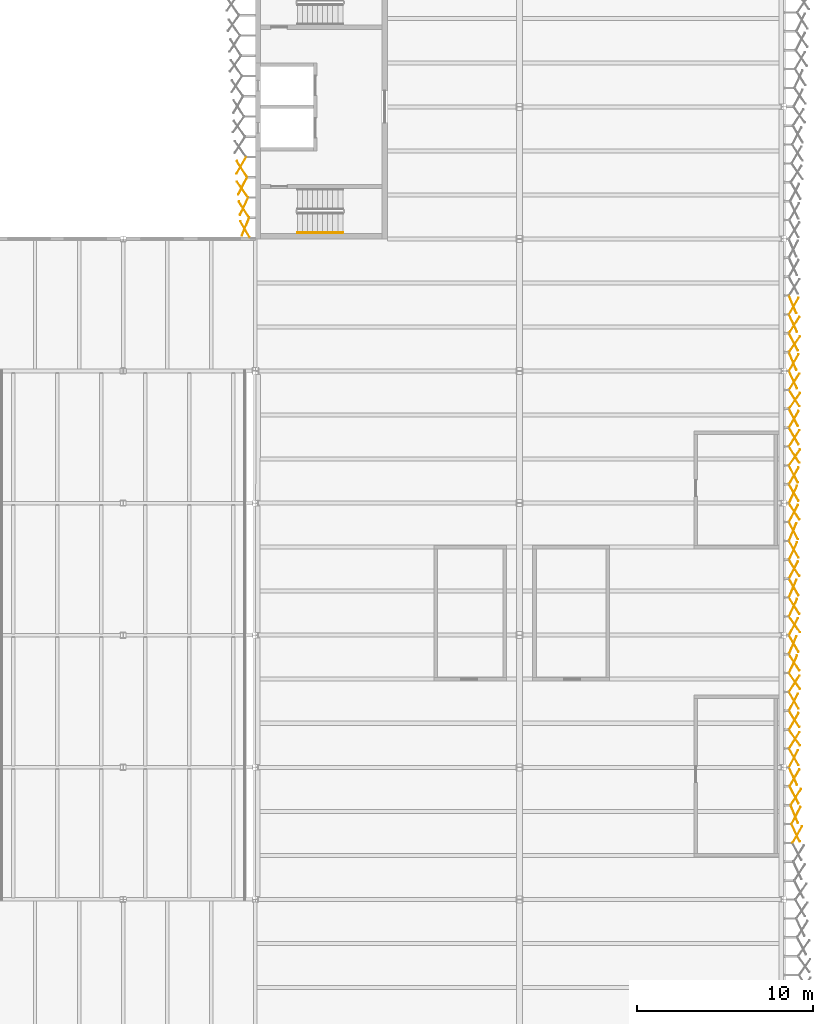
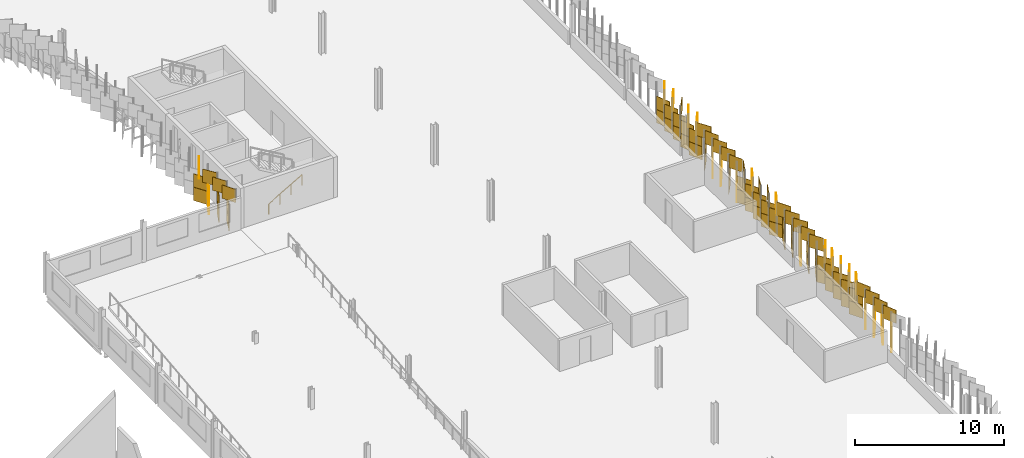
# One storey, part 189 of 198: 99 coverings, 1 railing.
"""IFC4 building model written with IfcOpenShell, lengths in metres."""

from ifc_helpers import new_model, si_unit, direction, frame, origin, origin_2d, place, context, subcontext, project, spatial, rectangle, circle, extrude, material, layer, layer_set, type_object, element, save


model = new_model("IFC4")

# Units and contexts
model_context = context("Model", 3, precision=1e-05, world=origin(), true_north=direction((0.0, 1.0)))
body_context = subcontext(model_context, "Body", "Model", "MODEL_VIEW")
ifc_project = project(units=[si_unit("LENGTHUNIT", "METRE"), si_unit("AREAUNIT", "SQUARE_METRE"), si_unit("VOLUMEUNIT", "CUBIC_METRE"), si_unit("PLANEANGLEUNIT", "RADIAN"), si_unit("MASSUNIT", "GRAM", prefix="KILO")], contexts=[model_context])

# Site, building, storey
site_placement = place(None, origin())
site = spatial("IfcSite", under=ifc_project, at=site_placement, CompositionType="ELEMENT")
building_placement = place(site_placement, origin())
building = spatial("IfcBuilding", under=site, at=building_placement, Name="Parallax Yard Mobility Hub", CompositionType="ELEMENT")
storey_placement = place(building_placement, frame((0.0, 0.0, 6.60009765625)))
storey = spatial("IfcBuildingStorey", under=building, at=storey_placement, Name="L02", CompositionType="ELEMENT", Elevation=6.60009765625)

# Coverings
ifc_material_1 = material(Name="Aluminium panel, champagne finish", Category="aluminium")
ifc_layer_1 = layer(ifc_material_1, 0.030029296875)
ifc_layer_set_1 = layer_set([ifc_layer_1], Name="Skin panel 22.5 degree turn, champagne finish")
covering_type_1 = type_object("IfcCoveringType", Name="Skin panel 22.5 degree turn, champagne finish", PredefinedType="CLADDING", material=ifc_layer_set_1)
for number, where, z_axis, x_axis, name in (
    (1, (225.607421875, 42.332275390625, 2.219970703125), (0.0, 0.0, 1.0), (0.382683432365, -0.923879532511, 0.0), "Skin panel 22.5 bay 34.5 row 3 level L02"),
    (2, (225.512939453125, 51.93408203125, 1.119873046875), (0.0, 0.0, 1.0), (0.382683432365, 0.923879532511, 0.0), "Skin panel 22.5 bay 35.7 row 2 level L02"),
    (3, (225.512939453125, 55.1494140625, 1.119873046875), (0.0, 0.0, 1.0), (0.382683432365, 0.923879532511, 0.0), "Skin panel 22.5 bay 36.3 row 2 level L02"),
    (4, (225.512939453125, 58.364501953125, 2.219970703125), (0.0, 0.0, 1.0), (0.382683432365, 0.923879532511, 0.0), "Skin panel 22.5 bay 36.6 row 3 level L02"),
    (5, (225.512939453125, 68.0537109375, 1.119873046875), (0.0, 0.0, 1.0), (0.382683432365, -0.923879532511, 0.0), "Skin panel 22.5 bay 38.1 row 2 level L02"),
    (6, (225.512939453125, 71.26904296875, 1.119873046875), (0.0, 0.0, 1.0), (0.382683432365, -0.923879532511, 0.0), "Skin panel 22.5 bay 38.4 row 2 level L02"),
    (7, (194.439453125, 75.683349609375, 1.119873046875), (0.0, 0.0, 1.0), (-0.382683432365, -0.923879532511, 0.0), "Skin panel 22.5 bay 23.13 row 2 level L02"),
):
    element("IfcCovering", number, at=place(storey_placement, frame(where, z_axis=z_axis, x_axis=x_axis)), inside=storey, type_object=covering_type_1, Name=name, ObjectType="SCREEN", PredefinedType="CLADDING", context=body_context, shape_type="SweptSolid", body=[
        extrude(rectangle(XDim=1.080078125, YDim=0.030029296875, at=origin_2d()), origin(), (0.0, 0.0, 1.0), 1.080078125),
    ])
ifc_material_2 = material(Name="Aluminium panel, light oak finish", Category="aluminium")
ifc_layer_2 = layer(ifc_material_2, 0.030029296875)
ifc_layer_set_2 = layer_set([ifc_layer_2], Name="Skin panel 22.5 degree turn, oak finish")
covering_type_2 = type_object("IfcCoveringType", Name="Skin panel 22.5 degree turn, oak finish", PredefinedType="CLADDING", material=ifc_layer_set_2)
for number, where, z_axis, x_axis, name in (
    (8, (225.512939453125, 51.93408203125, 0.019775390625), (0.0, 0.0, 1.0), (0.382683432365, 0.923879532511, 0.0), "Skin panel 22.5 bay 35.7 row 1 level L02"),
    (9, (225.512939453125, 55.1494140625, 0.019775390625), (0.0, 0.0, 1.0), (0.382683432365, 0.923879532511, 0.0), "Skin panel 22.5 bay 36.3 row 1 level L02"),
    (10, (225.512939453125, 68.0537109375, 0.019775390625), (0.0, 0.0, 1.0), (0.382683432365, -0.923879532511, 0.0), "Skin panel 22.5 bay 38.1 row 1 level L02"),
    (11, (225.512939453125, 71.26904296875, 0.019775390625), (0.0, 0.0, 1.0), (0.382683432365, -0.923879532511, 0.0), "Skin panel 22.5 bay 38.4 row 1 level L02"),
    (12, (194.439453125, 75.683349609375, 0.019775390625), (0.0, 0.0, 1.0), (-0.382683432365, -0.923879532511, 0.0), "Skin panel 22.5 bay 23.13 row 1 level L02"),
):
    element("IfcCovering", number, at=place(storey_placement, frame(where, z_axis=z_axis, x_axis=x_axis)), inside=storey, type_object=covering_type_2, Name=name, ObjectType="SCREEN", PredefinedType="CLADDING", context=body_context, shape_type="SweptSolid", body=[
        extrude(rectangle(XDim=1.080078125, YDim=0.030029296875, at=origin_2d()), origin(), (0.0, 0.0, 1.0), 1.080078125),
    ])
ifc_layer_3 = layer(ifc_material_1, 0.030029296875)
ifc_layer_set_3 = layer_set([ifc_layer_3], Name="Skin panel 25 degree turn, champagne finish")
covering_type_3 = type_object("IfcCoveringType", Name="Skin panel 25 degree turn, champagne finish", PredefinedType="CLADDING", material=ifc_layer_set_3)
for number, where, z_axis, x_axis, name in (
    (13, (225.683349609375, 41.270263671875, 2.219970703125), (0.0, 0.0, 1.0), (0.422618261741, -0.906307787037, 0.0), "Skin panel 25 bay 34.4 row 3 level L02"),
    (14, (225.53515625, 44.485595703125, 2.219970703125), (0.0, 0.0, 1.0), (0.422618261741, -0.906307787037, 0.0), "Skin panel 25 bay 34.7 row 3 level L02"),
    (15, (225.53515625, 50.8525390625, 1.119873046875), (0.0, 0.0, 1.0), (0.422618261741, 0.906307787037, 0.0), "Skin panel 25 bay 35.6 row 2 level L02"),
    (16, (225.53515625, 54.06787109375, 1.119873046875), (0.0, 0.0, 1.0), (0.422618261741, 0.906307787037, 0.0), "Skin panel 25 bay 36.2 row 2 level L02"),
    (17, (225.53515625, 57.282958984375, 2.219970703125), (0.0, 0.0, 1.0), (0.422618261741, 0.906307787037, 0.0), "Skin panel 25 bay 36.5 row 3 level L02"),
    (18, (225.53515625, 60.498291015625, 2.219970703125), (0.0, 0.0, 1.0), (0.422618261741, 0.906307787037, 0.0), "Skin panel 25 bay 37.1 row 3 level L02"),
    (19, (225.53515625, 66.991943359375, 1.119873046875), (0.0, 0.0, 1.0), (0.422618261741, -0.906307787037, 0.0), "Skin panel 25 bay 37.7 row 2 level L02"),
    (20, (225.53515625, 70.20703125, 1.119873046875), (0.0, 0.0, 1.0), (0.422618261741, -0.906307787037, 0.0), "Skin panel 25 bay 38.3 row 2 level L02"),
    (21, (194.359619140625, 76.843505859375, 1.119873046875), (0.0, 0.0, 1.0), (-0.422618261741, -0.906307787037, 0.0), "Skin panel 25 bay 23.12 row 2 level L02"),
):
    element("IfcCovering", number, at=place(storey_placement, frame(where, z_axis=z_axis, x_axis=x_axis)), inside=storey, type_object=covering_type_3, Name=name, ObjectType="SCREEN", PredefinedType="CLADDING", context=body_context, shape_type="SweptSolid", body=[
        extrude(rectangle(XDim=1.080078125, YDim=0.030029296875, at=origin_2d()), origin(), (0.0, 0.0, 1.0), 1.080078125),
    ])
ifc_layer_4 = layer(ifc_material_2, 0.030029296875)
ifc_layer_set_4 = layer_set([ifc_layer_4], Name="Skin panel 25 degree turn, oak finish")
covering_type_4 = type_object("IfcCoveringType", Name="Skin panel 25 degree turn, oak finish", PredefinedType="CLADDING", material=ifc_layer_set_4)
for number, where, z_axis, x_axis, name in (
    (22, (225.53515625, 50.8525390625, 0.019775390625), (0.0, 0.0, 1.0), (0.422618261741, 0.906307787037, 0.0), "Skin panel 25 bay 35.6 row 1 level L02"),
    (23, (225.53515625, 54.06787109375, 0.019775390625), (0.0, 0.0, 1.0), (0.422618261741, 0.906307787037, 0.0), "Skin panel 25 bay 36.2 row 1 level L02"),
    (24, (225.53515625, 66.991943359375, 0.019775390625), (0.0, 0.0, 1.0), (0.422618261741, -0.906307787037, 0.0), "Skin panel 25 bay 37.7 row 1 level L02"),
    (25, (225.53515625, 70.20703125, 0.019775390625), (0.0, 0.0, 1.0), (0.422618261741, -0.906307787037, 0.0), "Skin panel 25 bay 38.3 row 1 level L02"),
    (26, (194.359619140625, 76.843505859375, 0.019775390625), (0.0, 0.0, 1.0), (-0.422618261741, -0.906307787037, 0.0), "Skin panel 25 bay 23.12 row 1 level L02"),
):
    element("IfcCovering", number, at=place(storey_placement, frame(where, z_axis=z_axis, x_axis=x_axis)), inside=storey, type_object=covering_type_4, Name=name, ObjectType="SCREEN", PredefinedType="CLADDING", context=body_context, shape_type="SweptSolid", body=[
        extrude(rectangle(XDim=1.080078125, YDim=0.030029296875, at=origin_2d()), origin(), (0.0, 0.0, 1.0), 1.080078125),
    ])
ifc_layer_5 = layer(ifc_material_1, 0.030029296875)
ifc_layer_set_5 = layer_set([ifc_layer_5], Name="Skin panel 27.5 degree turn, champagne finish")
covering_type_5 = type_object("IfcCoveringType", Name="Skin panel 27.5 degree turn, champagne finish", PredefinedType="CLADDING", material=ifc_layer_set_5)
for number, where, z_axis, x_axis, name in (
    (27, (225.705078125, 42.26806640625, 1.119873046875), (0.0, 0.0, 1.0), (0.461748613235, 0.887010833178, 0.0), "Skin panel 27.5 bay 34.5 row 2 level L02"),
    (28, (225.597900390625, 43.424560546875, 2.219970703125), (0.0, 0.0, 1.0), (0.461748613235, -0.887010833178, 0.0), "Skin panel 27.5 bay 34.6 row 3 level L02"),
    (29, (225.556884765625, 45.483154296875, 2.219970703125), (0.0, 0.0, 1.0), (0.461748613235, 0.887010833178, 0.0), "Skin panel 27.5 bay 35.1 row 3 level L02"),
    (30, (225.556884765625, 48.698486328125, 2.219970703125), (0.0, 0.0, 1.0), (0.461748613235, 0.887010833178, 0.0), "Skin panel 27.5 bay 35.4 row 3 level L02"),
    (31, (225.556884765625, 52.9853515625, 1.119873046875), (0.0, 0.0, 1.0), (0.461748613235, 0.887010833178, 0.0), "Skin panel 27.5 bay 36.1 row 2 level L02"),
    (32, (225.556884765625, 56.200439453125, 2.219970703125), (0.0, 0.0, 1.0), (0.461748613235, 0.887010833178, 0.0), "Skin panel 27.5 bay 36.4 row 3 level L02"),
    (33, (225.556884765625, 58.4287109375, 1.119873046875), (0.0, 0.0, 1.0), (0.461748613235, -0.887010833178, 0.0), "Skin panel 27.5 bay 36.6 row 2 level L02"),
    (34, (225.556884765625, 59.415771484375, 2.219970703125), (0.0, 0.0, 1.0), (0.461748613235, 0.887010833178, 0.0), "Skin panel 27.5 bay 36.7 row 3 level L02"),
    (35, (225.556884765625, 61.64404296875, 2.219970703125), (0.0, 0.0, 1.0), (0.461748613235, -0.887010833178, 0.0), "Skin panel 27.5 bay 37.2 row 3 level L02"),
    (36, (225.556884765625, 64.859130859375, 2.219970703125), (0.0, 0.0, 1.0), (0.461748613235, -0.887010833178, 0.0), "Skin panel 27.5 bay 37.5 row 3 level L02"),
    (37, (225.556884765625, 69.14599609375, 1.119873046875), (0.0, 0.0, 1.0), (0.461748613235, -0.887010833178, 0.0), "Skin panel 27.5 bay 38.2 row 2 level L02"),
    (38, (194.280517578125, 78.00439453125, 1.119873046875), (0.0, 0.0, 1.0), (-0.461748613235, -0.887010833178, 0.0), "Skin panel 27.5 bay 23.11 row 2 level L02"),
):
    element("IfcCovering", number, at=place(storey_placement, frame(where, z_axis=z_axis, x_axis=x_axis)), inside=storey, type_object=covering_type_5, Name=name, ObjectType="SCREEN", PredefinedType="CLADDING", context=body_context, shape_type="SweptSolid", body=[
        extrude(rectangle(XDim=1.080078125, YDim=0.030029296875, at=origin_2d()), origin(), (0.0, 0.0, 1.0), 1.080078125),
    ])
ifc_layer_6 = layer(ifc_material_2, 0.030029296875)
ifc_layer_set_6 = layer_set([ifc_layer_6], Name="Skin panel 27.5 degree turn, oak finish")
covering_type_6 = type_object("IfcCoveringType", Name="Skin panel 27.5 degree turn, oak finish", PredefinedType="CLADDING", material=ifc_layer_set_6)
for number, where, z_axis, x_axis, name in (
    (39, (225.705078125, 42.26806640625, 0.019775390625), (0.0, 0.0, 1.0), (0.461748613235, 0.887010833178, 0.0), "Skin panel 27.5 bay 34.5 row 1 level L02"),
    (40, (225.556884765625, 52.9853515625, 0.019775390625), (0.0, 0.0, 1.0), (0.461748613235, 0.887010833178, 0.0), "Skin panel 27.5 bay 36.1 row 1 level L02"),
    (41, (225.556884765625, 58.4287109375, 0.019775390625), (0.0, 0.0, 1.0), (0.461748613235, -0.887010833178, 0.0), "Skin panel 27.5 bay 36.6 row 1 level L02"),
    (42, (225.556884765625, 69.14599609375, 0.019775390625), (0.0, 0.0, 1.0), (0.461748613235, -0.887010833178, 0.0), "Skin panel 27.5 bay 38.2 row 1 level L02"),
    (43, (194.280517578125, 78.00439453125, 0.019775390625), (0.0, 0.0, 1.0), (-0.461748613235, -0.887010833178, 0.0), "Skin panel 27.5 bay 23.11 row 1 level L02"),
):
    element("IfcCovering", number, at=place(storey_placement, frame(where, z_axis=z_axis, x_axis=x_axis)), inside=storey, type_object=covering_type_6, Name=name, ObjectType="SCREEN", PredefinedType="CLADDING", context=body_context, shape_type="SweptSolid", body=[
        extrude(rectangle(XDim=1.080078125, YDim=0.030029296875, at=origin_2d()), origin(), (0.0, 0.0, 1.0), 1.080078125),
    ])
ifc_layer_7 = layer(ifc_material_1, 0.030029296875)
ifc_layer_set_7 = layer_set([ifc_layer_7], Name="Skin panel 30 degree turn, champagne finish")
covering_type_7 = type_object("IfcCoveringType", Name="Skin panel 30 degree turn, champagne finish", PredefinedType="CLADDING", material=ifc_layer_set_7)
for number, where, z_axis, x_axis, name in (
    (44, (225.77978515625, 41.184814453125, 1.119873046875), (0.0, 0.0, 1.0), (0.5, 0.866025403784, 0.0), "Skin panel 30 bay 34.4 row 2 level L02"),
    (45, (225.619140625, 44.39990234375, 1.119873046875), (0.0, 0.0, 1.0), (0.5, 0.866025403784, 0.0), "Skin panel 30 bay 34.7 row 2 level L02"),
    (46, (225.578125, 45.57958984375, 1.119873046875), (0.0, 0.0, 1.0), (0.5, -0.866025403784, 0.0), "Skin panel 30 bay 35.1 row 2 level L02"),
    (47, (225.578125, 47.614990234375, 2.219970703125), (0.0, 0.0, 1.0), (0.5, 0.866025403784, 0.0), "Skin panel 30 bay 35.3 row 3 level L02"),
    (48, (225.578125, 48.794921875, 1.119873046875), (0.0, 0.0, 1.0), (0.5, -0.866025403784, 0.0), "Skin panel 30 bay 35.4 row 2 level L02"),
    (49, (225.578125, 52.010009765625, 2.219970703125), (0.0, 0.0, 1.0), (0.5, -0.866025403784, 0.0), "Skin panel 30 bay 35.7 row 3 level L02"),
    (50, (225.578125, 55.22509765625, 2.219970703125), (0.0, 0.0, 1.0), (0.5, -0.866025403784, 0.0), "Skin panel 30 bay 36.3 row 3 level L02"),
    (51, (225.578125, 57.36865234375, 1.119873046875), (0.0, 0.0, 1.0), (0.5, -0.866025403784, 0.0), "Skin panel 30 bay 36.5 row 2 level L02"),
    (52, (225.578125, 60.583984375, 1.119873046875), (0.0, 0.0, 1.0), (0.5, -0.866025403784, 0.0), "Skin panel 30 bay 37.1 row 2 level L02"),
    (53, (225.578125, 61.547607421875, 1.119873046875), (0.0, 0.0, 1.0), (0.5, 0.866025403784, 0.0), "Skin panel 30 bay 37.2 row 2 level L02"),
    (54, (225.578125, 63.799072265625, 2.219970703125), (0.0, 0.0, 1.0), (0.5, -0.866025403784, 0.0), "Skin panel 30 bay 37.4 row 3 level L02"),
    (55, (225.578125, 64.7626953125, 1.119873046875), (0.0, 0.0, 1.0), (0.5, 0.866025403784, 0.0), "Skin panel 30 bay 37.5 row 2 level L02"),
    (56, (225.578125, 67.977783203125, 2.219970703125), (0.0, 0.0, 1.0), (0.5, 0.866025403784, 0.0), "Skin panel 30 bay 38.1 row 3 level L02"),
    (57, (225.578125, 71.193115234375, 2.219970703125), (0.0, 0.0, 1.0), (0.5, 0.866025403784, 0.0), "Skin panel 30 bay 38.4 row 3 level L02"),
    (58, (194.20166015625, 79.166259765625, 2.219970703125), (0.0, 0.0, 1.0), (-0.5, -0.866025403784, 0.0), "Skin panel 30 bay 23.10 row 3 level L02"),
    (59, (194.421875, 75.529052734375, 2.219970703125), (0.0, 0.0, 1.0), (-0.5, 0.866025403784, 0.0), "Skin panel 30 bay 23.13 row 3 level L02"),
):
    element("IfcCovering", number, at=place(storey_placement, frame(where, z_axis=z_axis, x_axis=x_axis)), inside=storey, type_object=covering_type_7, Name=name, ObjectType="SCREEN", PredefinedType="CLADDING", context=body_context, shape_type="SweptSolid", body=[
        extrude(rectangle(XDim=1.080078125, YDim=0.030029296875, at=origin_2d()), origin(), (0.0, 0.0, 1.0), 1.080078125),
    ])
ifc_layer_8 = layer(ifc_material_2, 0.030029296875)
ifc_layer_set_8 = layer_set([ifc_layer_8], Name="Skin panel 30 degree turn, oak finish")
covering_type_8 = type_object("IfcCoveringType", Name="Skin panel 30 degree turn, oak finish", PredefinedType="CLADDING", material=ifc_layer_set_8)
for number, where, z_axis, x_axis, name in (
    (60, (225.77978515625, 41.184814453125, 0.019775390625), (0.0, 0.0, 1.0), (0.5, 0.866025403784, 0.0), "Skin panel 30 bay 34.4 row 1 level L02"),
    (61, (225.619140625, 44.39990234375, 0.019775390625), (0.0, 0.0, 1.0), (0.5, 0.866025403784, 0.0), "Skin panel 30 bay 34.7 row 1 level L02"),
    (62, (225.578125, 45.57958984375, 0.019775390625), (0.0, 0.0, 1.0), (0.5, -0.866025403784, 0.0), "Skin panel 30 bay 35.1 row 1 level L02"),
    (63, (225.578125, 48.794921875, 0.019775390625), (0.0, 0.0, 1.0), (0.5, -0.866025403784, 0.0), "Skin panel 30 bay 35.4 row 1 level L02"),
    (64, (225.578125, 57.36865234375, 0.019775390625), (0.0, 0.0, 1.0), (0.5, -0.866025403784, 0.0), "Skin panel 30 bay 36.5 row 1 level L02"),
    (65, (225.578125, 60.583984375, 0.019775390625), (0.0, 0.0, 1.0), (0.5, -0.866025403784, 0.0), "Skin panel 30 bay 37.1 row 1 level L02"),
    (66, (225.578125, 61.547607421875, 0.019775390625), (0.0, 0.0, 1.0), (0.5, 0.866025403784, 0.0), "Skin panel 30 bay 37.2 row 1 level L02"),
    (67, (225.578125, 64.7626953125, 0.019775390625), (0.0, 0.0, 1.0), (0.5, 0.866025403784, 0.0), "Skin panel 30 bay 37.5 row 1 level L02"),
):
    element("IfcCovering", number, at=place(storey_placement, frame(where, z_axis=z_axis, x_axis=x_axis)), inside=storey, type_object=covering_type_8, Name=name, ObjectType="SCREEN", PredefinedType="CLADDING", context=body_context, shape_type="SweptSolid", body=[
        extrude(rectangle(XDim=1.080078125, YDim=0.030029296875, at=origin_2d()), origin(), (0.0, 0.0, 1.0), 1.080078125),
    ])
ifc_layer_9 = layer(ifc_material_1, 0.030029296875)
ifc_layer_set_9 = layer_set([ifc_layer_9], Name="Skin panel 32.5 degree turn, champagne finish")
covering_type_9 = type_object("IfcCoveringType", Name="Skin panel 32.5 degree turn, champagne finish", PredefinedType="CLADDING", material=ifc_layer_set_9)
for number, where, z_axis, x_axis, name in (
    (68, (225.693603515625, 43.3154296875, 1.119873046875), (0.0, 0.0, 1.0), (0.537299608347, 0.843391445813, 0.0), "Skin panel 32.5 bay 34.6 row 2 level L02"),
    (69, (225.598876953125, 46.53076171875, 2.219970703125), (0.0, 0.0, 1.0), (0.537299608347, 0.843391445813, 0.0), "Skin panel 32.5 bay 35.2 row 3 level L02"),
    (70, (225.598876953125, 47.735595703125, 1.119873046875), (0.0, 0.0, 1.0), (0.537299608347, -0.843391445813, 0.0), "Skin panel 32.5 bay 35.3 row 2 level L02"),
    (71, (225.598876953125, 49.745849609375, 2.219970703125), (0.0, 0.0, 1.0), (0.537299608347, 0.843391445813, 0.0), "Skin panel 32.5 bay 35.5 row 3 level L02"),
    (72, (225.598876953125, 50.950927734375, 2.219970703125), (0.0, 0.0, 1.0), (0.537299608347, -0.843391445813, 0.0), "Skin panel 32.5 bay 35.6 row 3 level L02"),
    (73, (225.598876953125, 54.166015625, 2.219970703125), (0.0, 0.0, 1.0), (0.537299608347, -0.843391445813, 0.0), "Skin panel 32.5 bay 36.2 row 3 level L02"),
    (74, (225.598876953125, 56.3095703125, 1.119873046875), (0.0, 0.0, 1.0), (0.537299608347, -0.843391445813, 0.0), "Skin panel 32.5 bay 36.4 row 2 level L02"),
    (75, (225.598876953125, 59.52490234375, 1.119873046875), (0.0, 0.0, 1.0), (0.537299608347, -0.843391445813, 0.0), "Skin panel 32.5 bay 36.7 row 2 level L02"),
    (76, (225.598876953125, 62.739990234375, 2.219970703125), (0.0, 0.0, 1.0), (0.537299608347, -0.843391445813, 0.0), "Skin panel 32.5 bay 37.3 row 3 level L02"),
    (77, (225.598876953125, 63.678466796875, 1.119873046875), (0.0, 0.0, 1.0), (0.537299608347, 0.843391445813, 0.0), "Skin panel 32.5 bay 37.4 row 2 level L02"),
    (78, (225.598876953125, 65.955078125, 2.219970703125), (0.0, 0.0, 1.0), (0.537299608347, -0.843391445813, 0.0), "Skin panel 32.5 bay 37.6 row 3 level L02"),
    (79, (225.598876953125, 66.8935546875, 2.219970703125), (0.0, 0.0, 1.0), (0.537299608347, 0.843391445813, 0.0), "Skin panel 32.5 bay 37.7 row 3 level L02"),
    (80, (225.598876953125, 70.10888671875, 2.219970703125), (0.0, 0.0, 1.0), (0.537299608347, 0.843391445813, 0.0), "Skin panel 32.5 bay 38.3 row 3 level L02"),
    (81, (194.23828125, 78.967041015625, 1.119873046875), (0.0, 0.0, 1.0), (-0.537299608347, 0.843391445813, 0.0), "Skin panel 32.5 bay 23.10 row 2 level L02"),
    (82, (194.353271484375, 76.66650390625, 2.219970703125), (0.0, 0.0, 1.0), (-0.537299608347, 0.843391445813, 0.0), "Skin panel 32.5 bay 23.12 row 3 level L02"),
):
    element("IfcCovering", number, at=place(storey_placement, frame(where, z_axis=z_axis, x_axis=x_axis)), inside=storey, type_object=covering_type_9, Name=name, ObjectType="SCREEN", PredefinedType="CLADDING", context=body_context, shape_type="SweptSolid", body=[
        extrude(rectangle(XDim=1.080078125, YDim=0.030029296875, at=origin_2d()), origin(), (0.0, 0.0, 1.0), 1.080078125),
    ])
ifc_layer_10 = layer(ifc_material_2, 0.030029296875)
ifc_layer_set_10 = layer_set([ifc_layer_10], Name="Skin panel 32.5 degree turn, oak finish")
covering_type_10 = type_object("IfcCoveringType", Name="Skin panel 32.5 degree turn, oak finish", PredefinedType="CLADDING", material=ifc_layer_set_10)
for number, where, z_axis, x_axis, name in (
    (83, (225.693603515625, 43.3154296875, 0.019775390625), (0.0, 0.0, 1.0), (0.537299608347, 0.843391445813, 0.0), "Skin panel 32.5 bay 34.6 row 1 level L02"),
    (84, (225.598876953125, 47.735595703125, 0.019775390625), (0.0, 0.0, 1.0), (0.537299608347, -0.843391445813, 0.0), "Skin panel 32.5 bay 35.3 row 1 level L02"),
    (85, (225.598876953125, 56.3095703125, 0.019775390625), (0.0, 0.0, 1.0), (0.537299608347, -0.843391445813, 0.0), "Skin panel 32.5 bay 36.4 row 1 level L02"),
    (86, (225.598876953125, 59.52490234375, 0.019775390625), (0.0, 0.0, 1.0), (0.537299608347, -0.843391445813, 0.0), "Skin panel 32.5 bay 36.7 row 1 level L02"),
    (87, (225.598876953125, 63.678466796875, 0.019775390625), (0.0, 0.0, 1.0), (0.537299608347, 0.843391445813, 0.0), "Skin panel 32.5 bay 37.4 row 1 level L02"),
    (88, (194.23828125, 78.967041015625, 0.019775390625), (0.0, 0.0, 1.0), (-0.537299608347, 0.843391445813, 0.0), "Skin panel 32.5 bay 23.10 row 1 level L02"),
):
    element("IfcCovering", number, at=place(storey_placement, frame(where, z_axis=z_axis, x_axis=x_axis)), inside=storey, type_object=covering_type_10, Name=name, ObjectType="SCREEN", PredefinedType="CLADDING", context=body_context, shape_type="SweptSolid", body=[
        extrude(rectangle(XDim=1.080078125, YDim=0.030029296875, at=origin_2d()), origin(), (0.0, 0.0, 1.0), 1.080078125),
    ])
ifc_layer_11 = layer(ifc_material_1, 0.030029296875)
ifc_layer_set_11 = layer_set([ifc_layer_11], Name="Skin panel 35 degree turn, champagne finish")
covering_type_11 = type_object("IfcCoveringType", Name="Skin panel 35 degree turn, champagne finish", PredefinedType="CLADDING", material=ifc_layer_set_11)
for number, where, z_axis, x_axis, name in (
    (89, (225.619140625, 46.677490234375, 1.119873046875), (0.0, 0.0, 1.0), (0.573576436351, -0.819152044289, 0.0), "Skin panel 35 bay 35.2 row 2 level L02"),
    (90, (225.619140625, 49.892578125, 1.119873046875), (0.0, 0.0, 1.0), (0.573576436351, -0.819152044289, 0.0), "Skin panel 35 bay 35.5 row 2 level L02"),
    (91, (225.619140625, 53.10791015625, 2.219970703125), (0.0, 0.0, 1.0), (0.573576436351, -0.819152044289, 0.0), "Skin panel 35 bay 36.1 row 3 level L02"),
    (92, (225.619140625, 62.59326171875, 1.119873046875), (0.0, 0.0, 1.0), (0.573576436351, 0.819152044289, 0.0), "Skin panel 35 bay 37.3 row 2 level L02"),
    (93, (225.619140625, 65.808349609375, 1.119873046875), (0.0, 0.0, 1.0), (0.573576436351, 0.819152044289, 0.0), "Skin panel 35 bay 37.6 row 2 level L02"),
    (94, (225.619140625, 69.023681640625, 2.219970703125), (0.0, 0.0, 1.0), (0.573576436351, 0.819152044289, 0.0), "Skin panel 35 bay 38.2 row 3 level L02"),
    (95, (194.275634765625, 77.80322265625, 2.219970703125), (0.0, 0.0, 1.0), (-0.573576436351, 0.819152044289, 0.0), "Skin panel 35 bay 23.11 row 3 level L02"),
):
    element("IfcCovering", number, at=place(storey_placement, frame(where, z_axis=z_axis, x_axis=x_axis)), inside=storey, type_object=covering_type_11, Name=name, ObjectType="SCREEN", PredefinedType="CLADDING", context=body_context, shape_type="SweptSolid", body=[
        extrude(rectangle(XDim=1.080078125, YDim=0.030029296875, at=origin_2d()), origin(), (0.0, 0.0, 1.0), 1.080078125),
    ])
ifc_layer_12 = layer(ifc_material_2, 0.030029296875)
ifc_layer_set_12 = layer_set([ifc_layer_12], Name="Skin panel 35 degree turn, oak finish")
covering_type_12 = type_object("IfcCoveringType", Name="Skin panel 35 degree turn, oak finish", PredefinedType="CLADDING", material=ifc_layer_set_12)
for number, where, z_axis, x_axis, name in (
    (96, (225.619140625, 46.677490234375, 0.019775390625), (0.0, 0.0, 1.0), (0.573576436351, -0.819152044289, 0.0), "Skin panel 35 bay 35.2 row 1 level L02"),
    (97, (225.619140625, 49.892578125, 0.019775390625), (0.0, 0.0, 1.0), (0.573576436351, -0.819152044289, 0.0), "Skin panel 35 bay 35.5 row 1 level L02"),
    (98, (225.619140625, 62.59326171875, 0.019775390625), (0.0, 0.0, 1.0), (0.573576436351, 0.819152044289, 0.0), "Skin panel 35 bay 37.3 row 1 level L02"),
    (99, (225.619140625, 65.808349609375, 0.019775390625), (0.0, 0.0, 1.0), (0.573576436351, 0.819152044289, 0.0), "Skin panel 35 bay 37.6 row 1 level L02"),
):
    element("IfcCovering", number, at=place(storey_placement, frame(where, z_axis=z_axis, x_axis=x_axis)), inside=storey, type_object=covering_type_12, Name=name, ObjectType="SCREEN", PredefinedType="CLADDING", context=body_context, shape_type="SweptSolid", body=[
        extrude(rectangle(XDim=1.080078125, YDim=0.030029296875, at=origin_2d()), origin(), (0.0, 0.0, 1.0), 1.080078125),
    ])

# Railing
ifc_material_3 = material(Name="Steel ASTM A36", Category="steel")
railing_type = type_object("IfcRailingType", Name="Stair handrail", PredefinedType="HANDRAIL", material=ifc_material_3)
railing_placement = place(storey_placement, frame((197.39990234375, 75.35009765625, 0.164794921875)))
element("IfcRailing", 100, at=railing_placement, inside=storey, type_object=railing_type, Name="L02 ST7 stair handrail 1", PredefinedType="HANDRAIL", context=body_context, shape_type="SweptSolid", body=[
    extrude(circle(Radius=0.02392578125, at=origin_2d()), frame((0.0, 0.0, 0.8310546875), z_axis=(0.865426285481, 0.0, 0.501036270542), x_axis=(0.0, 1.0, 0.0)), (0.0, 0.0, 1.0), 2.964111328125),
    extrude(circle(Radius=0.02099609375, at=origin_2d()), origin(), (0.0, 0.0, 1.0), 0.806884765625),
    extrude(circle(Radius=0.02099609375, at=origin_2d()), frame((0.85498046875, 0.0, 0.4951171875)), (0.0, 0.0, 1.0), 0.806884765625),
    extrude(circle(Radius=0.02099609375, at=origin_2d()), frame((1.710205078125, 0.0, 0.989990234375)), (0.0, 0.0, 1.0), 0.806884765625),
    extrude(circle(Radius=0.02099609375, at=origin_2d()), frame((2.565185546875, 0.0, 1.485107421875)), (0.0, 0.0, 1.0), 0.806884765625),
])

save(model, "model.ifc")
